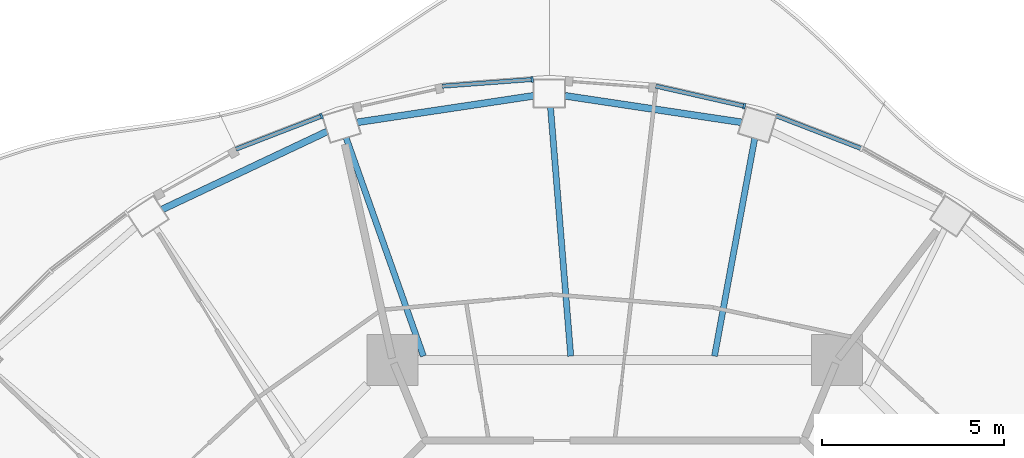
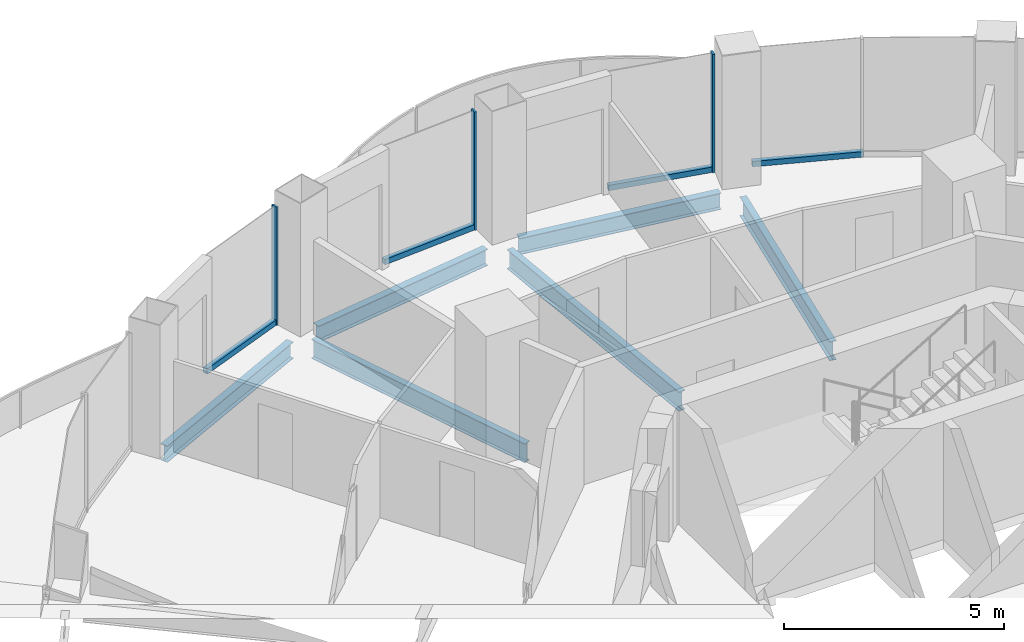
# One storey, part 6 of 17: 7 members, 6 beams, 4 elements without a shape of their own.
"""IFC4 building model written with IfcOpenShell, lengths in metres."""

from ifc_helpers import new_model, si_unit, direction, frame, origin, origin_2d, place, context, subcontext, project, spatial, rectangle, i_section, extrude, material, layer, layer_set, material_profile, profile_set, type_object, element, aggregate, save


model = new_model("IFC4")

# Units and contexts
model_context = context("Model", 3, precision=1e-05, world=origin(), true_north=direction((0.0, 1.0)))
body_context = subcontext(model_context, "Body", "Model", "MODEL_VIEW")
ifc_project = project(units=[si_unit("LENGTHUNIT", "METRE"), si_unit("AREAUNIT", "SQUARE_METRE"), si_unit("VOLUMEUNIT", "CUBIC_METRE"), si_unit("PLANEANGLEUNIT", "RADIAN"), si_unit("MASSUNIT", "GRAM", prefix="KILO")], contexts=[model_context])

# Site, building, storey
site_placement = place(None, origin())
site = spatial("IfcSite", under=ifc_project, at=site_placement, CompositionType="ELEMENT")
building_placement = place(site_placement, origin())
building = spatial("IfcBuilding", under=site, at=building_placement, Name="Nagisa Residences", CompositionType="ELEMENT")
storey_placement = place(building_placement, frame((0.0, 0.0, 295.5)))
storey = spatial("IfcBuildingStorey", under=building, at=storey_placement, Name="L75", CompositionType="ELEMENT", Elevation=295.5)

# Curtain wall, member
ifc_material_1 = material(Name="Concrete-coloured aluminium curtain wall system", Category="concrete")
ifc_layer = layer(ifc_material_1, 0.159912109375)
ifc_layer_set = layer_set([ifc_layer], Name="CW1 CURTAIN WALL")
curtain_wall_type = type_object("IfcCurtainWallType", Name="CW1 CURTAIN WALL", PredefinedType="NOTDEFINED", material=ifc_layer_set)
curtain_wall_1_placement = place(storey_placement, origin())
curtain_wall_1 = element("IfcCurtainWall", 1, at=curtain_wall_1_placement, inside=storey, type_object=curtain_wall_type, Name="cw:CW1:L75:10", PredefinedType="NOTDEFINED")
ifc_material_2 = material(Name="Concrete-coloured aluminium", Category="concrete")
ifc_material_profile_1 = material_profile(ifc_material_2, rectangle(XDim=0.159912109375, YDim=0.06005859375, at=origin_2d()), Name="CW1 MULLION 160x60")
ifc_profile_set_1 = profile_set([ifc_material_profile_1], Name="Concrete-coloured aluminium")
member_type_1 = type_object("IfcMemberType", Name="CW1 MULLION 160x60", PredefinedType="MULLION", material=ifc_profile_set_1)
member_1_placement = place(storey_placement, frame((3.568603515625, 21.773193359375, 0.0), z_axis=(0.0, 0.0, 1.0), x_axis=(-0.2207639201, -0.975327274089, 0.0)))
member_1 = element("IfcMember", 2, at=member_1_placement, type_object=member_type_1, Name="CW1 mullion", PredefinedType="MULLION", context=body_context, shape_type="SweptSolid", body=[
    extrude(rectangle(XDim=0.159912109375, YDim=0.06005859375, at=origin_2d()), origin(), (0.0, 0.0, 1.0), 3.280029296875),
])

curtain_wall_2_placement = place(storey_placement, origin())
curtain_wall_2 = element("IfcCurtainWall", 3, at=curtain_wall_2_placement, inside=storey, type_object=curtain_wall_type, Name="cw:CW1:L75:12", PredefinedType="NOTDEFINED")
member_2_placement = place(storey_placement, frame((-2.272705078125, 22.5068359375, 0.0), z_axis=(0.0, 0.0, 1.0), x_axis=(0.074377355493, -0.997230168512, 0.0)))
member_2 = element("IfcMember", 4, at=member_2_placement, type_object=member_type_1, Name="CW1 mullion", PredefinedType="MULLION", context=body_context, shape_type="SweptSolid", body=[
    extrude(rectangle(XDim=0.159912109375, YDim=0.06005859375, at=origin_2d()), origin(), (0.0, 0.0, 1.0), 3.280029296875),
])

curtain_wall_3_placement = place(storey_placement, origin())
curtain_wall_3 = element("IfcCurtainWall", 5, at=curtain_wall_3_placement, inside=storey, type_object=curtain_wall_type, Name="cw:CW1:L75:14", PredefinedType="NOTDEFINED")
member_3_placement = place(storey_placement, frame((-8.073486328125, 21.49755859375, 0.0), z_axis=(0.0, 0.0, 1.0), x_axis=(0.360327770268, -0.932825759707, 0.0)))
member_3 = element("IfcMember", 6, at=member_3_placement, type_object=member_type_1, Name="CW1 mullion", PredefinedType="MULLION", context=body_context, shape_type="SweptSolid", body=[
    extrude(rectangle(XDim=0.159912109375, YDim=0.06005859375, at=origin_2d()), origin(), (0.0, 0.0, 1.0), 3.280029296875),
])

curtain_wall_4_placement = place(storey_placement, origin())
curtain_wall_4 = element("IfcCurtainWall", 7, at=curtain_wall_4_placement, inside=storey, type_object=curtain_wall_type, Name="cw:CW1:L75:09", PredefinedType="NOTDEFINED")
ifc_material_3 = material(Name="Concrete-coloured aluminium", Category="concrete")
ifc_material_profile_2 = material_profile(ifc_material_3, rectangle(XDim=0.1201171875, YDim=0.14990234375, at=origin_2d()), Name="CW1 TRANSOM 120x150")
ifc_profile_set_2 = profile_set([ifc_material_profile_2], Name="Concrete-coloured aluminium")
member_type_2 = type_object("IfcMemberType", Name="CW1 TRANSOM 120x150", PredefinedType="USERDEFINED", material=ifc_profile_set_2)
member_4_placement = place(storey_placement, frame((6.827392578125, 20.58837890625, 0.074951171875), z_axis=(-0.93282223778, 0.360336887792, 0.0), x_axis=(-0.360336887792, -0.93282223778, 0.0)))
member_4 = element("IfcMember", 8, at=member_4_placement, type_object=member_type_2, Name="CW1 transom", ObjectType="TRANSOM", PredefinedType="USERDEFINED", context=body_context, shape_type="SweptSolid", body=[
    extrude(rectangle(XDim=0.1201171875, YDim=0.14990234375, at=origin_2d()), origin(), (0.0, 0.0, 1.0), 2.5537109375),
])
aggregate(curtain_wall_4, [member_4])

# Member
member_5_placement = place(storey_placement, frame((3.597900390625, 21.7666015625, 0.074951171875), z_axis=(-0.975340398222, 0.220705930136, 0.0), x_axis=(-0.220705930136, -0.975340398222, 0.0)))
member_5 = element("IfcMember", 9, at=member_5_placement, type_object=member_type_2, Name="CW1 transom", ObjectType="TRANSOM", PredefinedType="USERDEFINED", context=body_context, shape_type="SweptSolid", body=[
    extrude(rectangle(XDim=0.1201171875, YDim=0.14990234375, at=origin_2d()), origin(), (0.0, 0.0, 1.0), 2.525390625),
])

aggregate(curtain_wall_1, [member_1, member_5])

member_6_placement = place(storey_placement, frame((-2.242919921875, 22.509033203125, 0.074951171875), z_axis=(-0.99722914645, -0.074391057731, 0.0), x_axis=(0.074391057731, -0.99722914645, 0.0)))
member_6 = element("IfcMember", 10, at=member_6_placement, type_object=member_type_2, Name="CW1 transom", ObjectType="TRANSOM", PredefinedType="USERDEFINED", context=body_context, shape_type="SweptSolid", body=[
    extrude(rectangle(XDim=0.1201171875, YDim=0.14990234375, at=origin_2d()), origin(), (0.0, 0.0, 1.0), 2.510498046875),
])

aggregate(curtain_wall_2, [member_2, member_6])

member_7_placement = place(storey_placement, frame((-8.04541015625, 21.508544921875, 0.074951171875), z_axis=(-0.93282223778, -0.360336887792, 0.0), x_axis=(0.360336887792, -0.93282223778, 0.0)))
member_7 = element("IfcMember", 11, at=member_7_placement, type_object=member_type_2, Name="CW1 transom", ObjectType="TRANSOM", PredefinedType="USERDEFINED", context=body_context, shape_type="SweptSolid", body=[
    extrude(rectangle(XDim=0.1201171875, YDim=0.14990234375, at=origin_2d()), origin(), (0.0, 0.0, 1.0), 2.5537109375),
])

aggregate(curtain_wall_3, [member_3, member_7])

# Beams
ifc_material_4 = material(Name="Steel ASTM A572 Gr 50", Category="steel")
ifc_material_profile_3 = material_profile(ifc_material_4, i_section(OverallWidth=0.18994140625, OverallDepth=0.45703125, WebThickness=0.009033203125, FlangeThickness=0.014404296875, at=origin_2d()), Name="W460x74")
ifc_profile_set_3 = profile_set([ifc_material_profile_3], Name="Steel ASTM A572 Gr 50")
beam_type_1 = type_object("IfcBeamType", Name="Perimeter ring beam W460x74", PredefinedType="BEAM", material=ifc_profile_set_3)
beam_1_placement = place(storey_placement, frame((3.4951171875, 21.326904296875, -0.488525390625), z_axis=(-0.988907577601, 0.148532161377, 0.0), x_axis=(-0.148532161377, -0.988907577601, 0.0)))
element("IfcBeam", 12, at=beam_1_placement, inside=storey, type_object=beam_type_1, Name="beam:L75:pb06", PredefinedType="BEAM", context=body_context, shape_type="SweptSolid", body=[
    extrude(i_section(OverallWidth=0.18994140625, OverallDepth=0.45703125, WebThickness=0.009033203125, FlangeThickness=0.014404296875, at=origin_2d()), origin(), (0.0, 0.0, 1.0), 4.919677734375),
])
beam_2_placement = place(storey_placement, frame((-2.230224609375, 22.0576171875, -0.488525390625), z_axis=(-0.98890648267, -0.148539451101, 0.0), x_axis=(0.148539451101, -0.98890648267, 0.0)))
element("IfcBeam", 13, at=beam_2_placement, inside=storey, type_object=beam_type_1, Name="beam:L75:pb07", PredefinedType="BEAM", context=body_context, shape_type="SweptSolid", body=[
    extrude(i_section(OverallWidth=0.18994140625, OverallDepth=0.45703125, WebThickness=0.009033203125, FlangeThickness=0.014404296875, at=origin_2d()), origin(), (0.0, 0.0, 1.0), 4.91943359375),
])
beam_3_placement = place(storey_placement, frame((-7.918212890625, 21.076416015625, -0.488525390625), z_axis=(-0.904115893837, -0.427287316113, 0.0), x_axis=(0.427287316113, -0.904115893837, 0.0)))
element("IfcBeam", 14, at=beam_3_placement, inside=storey, type_object=beam_type_1, Name="beam:L75:pb08", PredefinedType="BEAM", context=body_context, shape_type="SweptSolid", body=[
    extrude(i_section(OverallWidth=0.18994140625, OverallDepth=0.45703125, WebThickness=0.009033203125, FlangeThickness=0.014404296875, at=origin_2d()), origin(), (0.0, 0.0, 1.0), 5.031494140625),
])
ifc_material_5 = material(Name="Steel ASTM A572 Gr 50", Category="steel")
ifc_material_profile_4 = material_profile(ifc_material_5, i_section(OverallWidth=0.166015625, OverallDepth=0.534912109375, WebThickness=0.01025390625, FlangeThickness=0.0166015625, at=origin_2d()), Name="W530x85")
ifc_profile_set_4 = profile_set([ifc_material_profile_4], Name="Steel ASTM A572 Gr 50")
beam_type_2 = type_object("IfcBeamType", Name="Radial beam W530x85", PredefinedType="BEAM", material=ifc_profile_set_4)
beam_4_placement = place(storey_placement, frame((3.855712890625, 20.885986328125, -0.527587890625), z_axis=(-0.18155164865, -0.983381410681, 0.0), x_axis=(0.983381410681, -0.18155164865, 0.0)))
element("IfcBeam", 15, at=beam_4_placement, inside=storey, type_object=beam_type_2, Name="beam:L75:rb06", PredefinedType="BEAM", context=body_context, shape_type="SweptSolid", body=[
    extrude(i_section(OverallWidth=0.166015625, OverallDepth=0.534912109375, WebThickness=0.01025390625, FlangeThickness=0.0166015625, at=origin_2d()), origin(), (0.0, 0.0, 1.0), 6.098388671875),
])
beam_5_placement = place(storey_placement, frame((-1.76904296875, 21.7421875, -0.527587890625), z_axis=(0.081094239996, -0.996706438346, 0.0), x_axis=(0.996706438346, 0.081094239996, 0.0)))
element("IfcBeam", 16, at=beam_5_placement, inside=storey, type_object=beam_type_2, Name="beam:L75:rb07", PredefinedType="BEAM", context=body_context, shape_type="SweptSolid", body=[
    extrude(i_section(OverallWidth=0.166015625, OverallDepth=0.534912109375, WebThickness=0.01025390625, FlangeThickness=0.0166015625, at=origin_2d()), origin(), (0.0, 0.0, 1.0), 6.876220703125),
])
beam_6_placement = place(storey_placement, frame((-7.398193359375, 20.903564453125, -0.527587890625), z_axis=(0.333636730814, -0.942701719449, 0.0), x_axis=(0.942701719449, 0.333636730814, 0.0)))
element("IfcBeam", 17, at=beam_6_placement, inside=storey, type_object=beam_type_2, Name="beam:L75:rb08", PredefinedType="BEAM", context=body_context, shape_type="SweptSolid", body=[
    extrude(i_section(OverallWidth=0.166015625, OverallDepth=0.534912109375, WebThickness=0.01025390625, FlangeThickness=0.0166015625, at=origin_2d()), origin(), (0.0, 0.0, 1.0), 6.37939453125),
])

save(model, "model.ifc")
